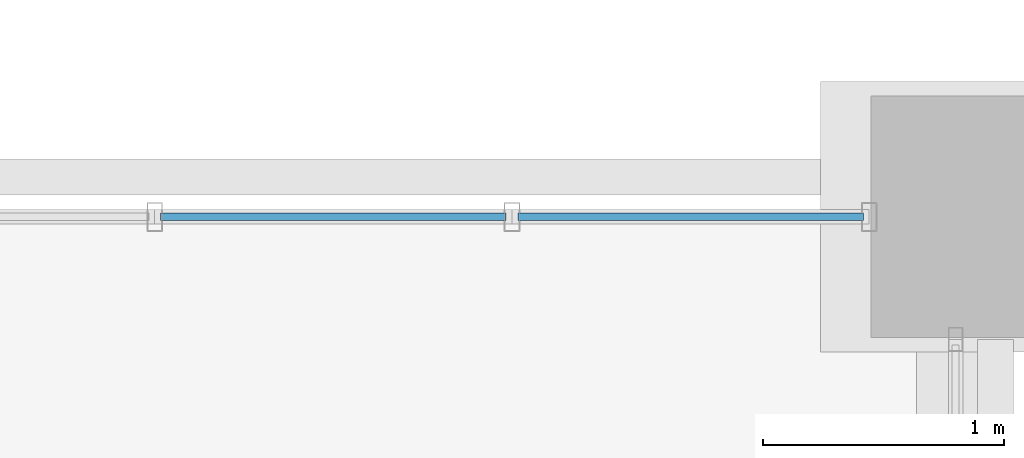
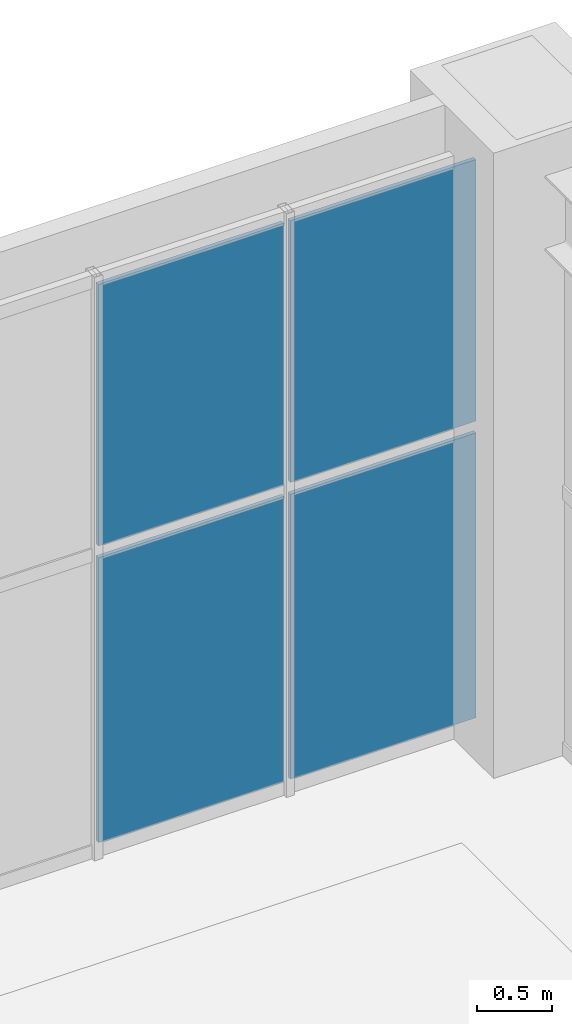
# One storey, part 135 of 174: 4 plates, 1 element without a shape of its own.
"""IFC4 building model written with IfcOpenShell, lengths in metres."""

from ifc_helpers import new_model, si_unit, direction, frame, origin, origin_2d, place, context, subcontext, project, spatial, rectangle, extrude, material, layer, layer_set, type_object, element, aggregate, save


model = new_model("IFC4")

# Units and contexts
model_context = context("Model", 3, precision=1e-05, world=origin(), true_north=direction((0.0, 1.0)))
body_context = subcontext(model_context, "Body", "Model", "MODEL_VIEW")
ifc_project = project(units=[si_unit("LENGTHUNIT", "METRE"), si_unit("AREAUNIT", "SQUARE_METRE"), si_unit("VOLUMEUNIT", "CUBIC_METRE"), si_unit("PLANEANGLEUNIT", "RADIAN"), si_unit("MASSUNIT", "GRAM", prefix="KILO")], contexts=[model_context])

# Site, building, storey
site_placement = place(None, origin())
site = spatial("IfcSite", under=ifc_project, at=site_placement, CompositionType="ELEMENT")
building_placement = place(site_placement, origin())
building = spatial("IfcBuilding", under=site, at=building_placement, Name="Mavantir Sound Aquarium", CompositionType="ELEMENT")
storey_placement = place(building_placement, frame((0.0, 0.0, 5.39990234375)))
storey = spatial("IfcBuildingStorey", under=building, at=storey_placement, Name="L01", CompositionType="ELEMENT", Elevation=5.39990234375)

# Curtain wall, plates
ifc_material_1 = material(Name="Anodised Marine Aluminium and Low-E Glass", Category="aluminium")
curtain_wall_type = type_object("IfcCurtainWallType", Name="CW-T14", PredefinedType="USERDEFINED", material=ifc_material_1)
curtain_wall_placement = place(storey_placement, origin())
curtain_wall = element("IfcCurtainWall", 1, at=curtain_wall_placement, inside=storey, type_object=curtain_wall_type, Name="L01 unitised curtain wall CW-14 86", ObjectType="UNITISED GLAZING", PredefinedType="USERDEFINED")
ifc_material_2 = material(Name="Solar-Control Laminated Low-E Glass", Category="glass")
ifc_layer = layer(ifc_material_2, 0.031982421875, Name="Solar-Control Laminated Low-E Glass")
ifc_layer_set = layer_set([ifc_layer], Name="Solar-Control Laminated Low-E Glass")
plate_type = type_object("IfcPlateType", Name="CW-PNL-32", PredefinedType="CURTAIN_PANEL", material=ifc_layer_set)
plate_1_placement = place(storey_placement, frame((126.101806640625, 90.60009765625, 0.10302734375), z_axis=(0.0, 0.0, 1.0), x_axis=(-1.0, 0.0, 0.0)))
plate_1 = element("IfcPlate", 2, at=plate_1_placement, type_object=plate_type, Name="CW-L01-086 glazed curtain panel 1.1", PredefinedType="CURTAIN_PANEL", context=body_context, shape_type="SweptSolid", body=[
    extrude(rectangle(XDim=1.4326171875, YDim=0.031982421875, at=origin_2d()), origin(), (0.0, 0.0, 1.0), 2.32421875),
])
plate_2_placement = place(storey_placement, frame((126.101806640625, 90.60009765625, 2.523193359375), z_axis=(0.0, 0.0, 1.0), x_axis=(-1.0, 0.0, 0.0)))
plate_2 = element("IfcPlate", 3, at=plate_2_placement, type_object=plate_type, Name="CW-L01-086 glazed curtain panel 1.2", PredefinedType="CURTAIN_PANEL", context=body_context, shape_type="SweptSolid", body=[
    extrude(rectangle(XDim=1.4326171875, YDim=0.031982421875, at=origin_2d()), origin(), (0.0, 0.0, 1.0), 2.1337890625),
])
plate_3_placement = place(storey_placement, frame((124.62109375, 90.60009765625, 0.10302734375), z_axis=(0.0, 0.0, 1.0), x_axis=(-1.0, 0.0, 0.0)))
plate_3 = element("IfcPlate", 4, at=plate_3_placement, type_object=plate_type, Name="CW-L01-086 glazed curtain panel 2.1", PredefinedType="CURTAIN_PANEL", context=body_context, shape_type="SweptSolid", body=[
    extrude(rectangle(XDim=1.4326171875, YDim=0.031982421875, at=origin_2d()), origin(), (0.0, 0.0, 1.0), 2.32421875),
])
plate_4_placement = place(storey_placement, frame((124.62109375, 90.60009765625, 2.523193359375), z_axis=(0.0, 0.0, 1.0), x_axis=(-1.0, 0.0, 0.0)))
plate_4 = element("IfcPlate", 5, at=plate_4_placement, type_object=plate_type, Name="CW-L01-086 glazed curtain panel 2.2", PredefinedType="CURTAIN_PANEL", context=body_context, shape_type="SweptSolid", body=[
    extrude(rectangle(XDim=1.4326171875, YDim=0.031982421875, at=origin_2d()), origin(), (0.0, 0.0, 1.0), 2.1337890625),
])
aggregate(curtain_wall, [plate_1, plate_2, plate_3, plate_4])

save(model, "model.ifc")
